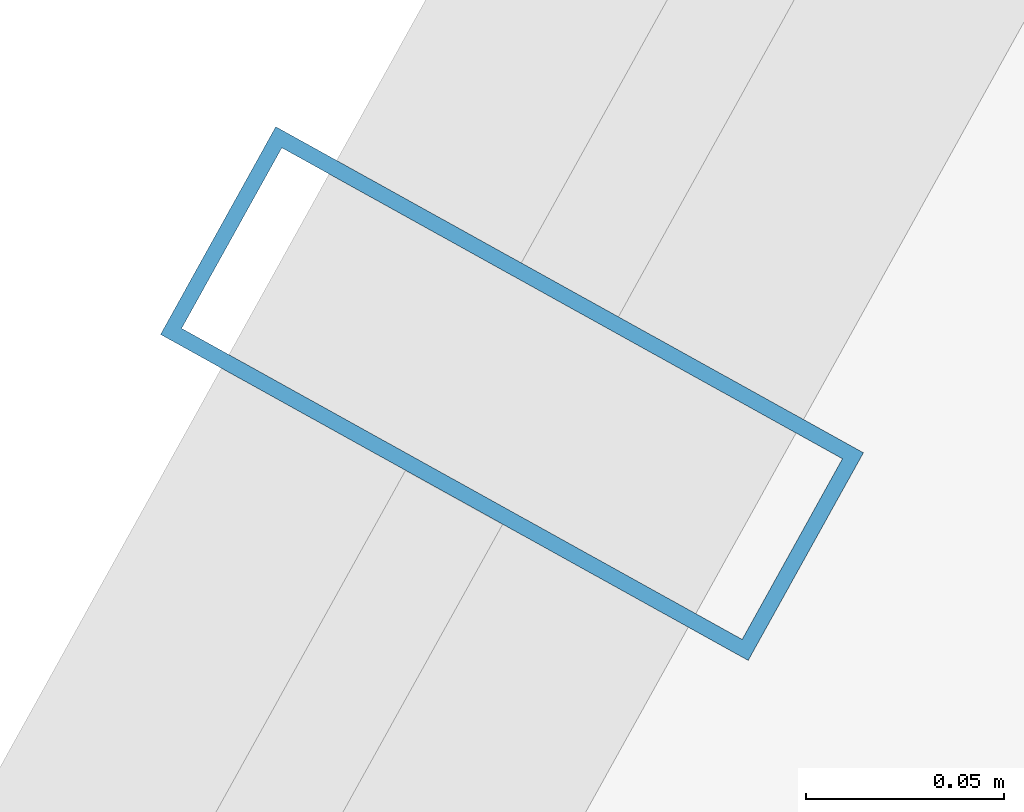
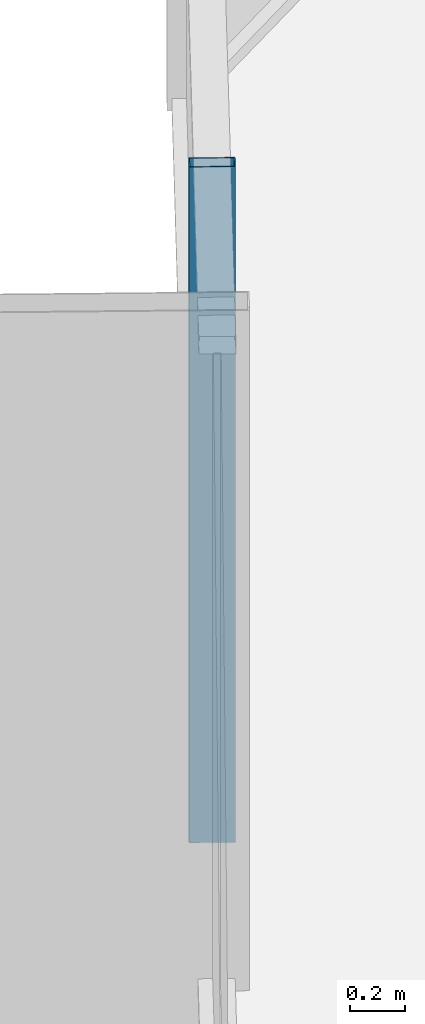
# One storey, part 23 of 39: 1 member, 1 element without a shape of its own.
"""IFC4 building model written with IfcOpenShell, lengths in metres."""

from ifc_helpers import new_model, si_unit, direction, frame, origin, origin_2d, place, context, subcontext, project, spatial, hollow_rectangle, extrude, source, transform, mapped, material, layer, layer_set, material_profile, profile_set, type_object, element, aggregate, save


model = new_model("IFC4")

# Units and contexts
model_context = context("Model", 3, precision=1e-05, world=origin(), true_north=direction((0.0, 1.0)))
body_context = subcontext(model_context, "Body", "Model", "MODEL_VIEW")
ifc_project = project(units=[si_unit("LENGTHUNIT", "METRE"), si_unit("AREAUNIT", "SQUARE_METRE"), si_unit("VOLUMEUNIT", "CUBIC_METRE"), si_unit("PLANEANGLEUNIT", "RADIAN"), si_unit("MASSUNIT", "GRAM", prefix="KILO")], contexts=[model_context])

# Site, building, storey
site_placement = place(None, origin())
site = spatial("IfcSite", under=ifc_project, at=site_placement, CompositionType="ELEMENT")
building_placement = place(site_placement, origin())
building = spatial("IfcBuilding", under=site, at=building_placement, Name="Veraguas Prism Commons", CompositionType="ELEMENT")
storey_placement = place(building_placement, frame((0.0, 0.0, 27.300048828125)))
storey = spatial("IfcBuildingStorey", under=building, at=storey_placement, Name="L06", CompositionType="ELEMENT", Elevation=27.300048828125)

# Curtain wall, member
ifc_material = material(Name="Anodised aluminium EN AW-6063 T6", Category="aluminium")
ifc_layer = layer(ifc_material, 0.169921875, Name="Unitised Flush Curtain Wall Zone 1", Category="aluminium")
ifc_layer_set = layer_set([ifc_layer], Name="Anodised aluminium EN AW-6063 T6")
curtain_wall_type = type_object("IfcCurtainWallType", Name="Unitised Flush Curtain Wall Zone 1", PredefinedType="NOTDEFINED", material=ifc_layer_set)
curtain_wall_placement = place(storey_placement, origin())
curtain_wall = element("IfcCurtainWall", 1, at=curtain_wall_placement, inside=storey, type_object=curtain_wall_type, Name="Tower Facade Curtain Wall L06-F3", PredefinedType="NOTDEFINED")
ifc_material_profile = material_profile(ifc_material, hollow_rectangle(XDim=0.06005859375, YDim=0.169921875, WallThickness=0.00390625, at=origin_2d()), Name="AL60X170X4")
ifc_profile_set = profile_set([ifc_material_profile], Name="Anodised aluminium EN AW-6063 T6")
member_type = type_object("IfcMemberType", Name="Curtain Wall Mullion Lower AL 60x170x4", PredefinedType="MULLION", material=ifc_profile_set)
shared_shape = source(origin(), body_context, "Body", "SweptSolid", [
    extrude(hollow_rectangle(XDim=0.06005859375, YDim=0.169921875, WallThickness=0.00390625, at=origin_2d()), origin(), (0.0, 0.0, 1.0), 3.0),
])
member_placement = place(storey_placement, frame((8.0908203125, 38.16748046875, 0.0), z_axis=(0.0, 0.0, 1.0), x_axis=(-0.485116416779, -0.874449576689, 0.0)))
member = element("IfcMember", 2, at=member_placement, type_object=member_type, Name="CW-Z1 Mullion 2", PredefinedType="MULLION", context=body_context, shape_type="MappedRepresentation", body=[
    mapped(shared_shape, transform((0.0, 0.0, 0.0), scale=1.0)),
])
aggregate(curtain_wall, [member])

save(model, "model.ifc")
